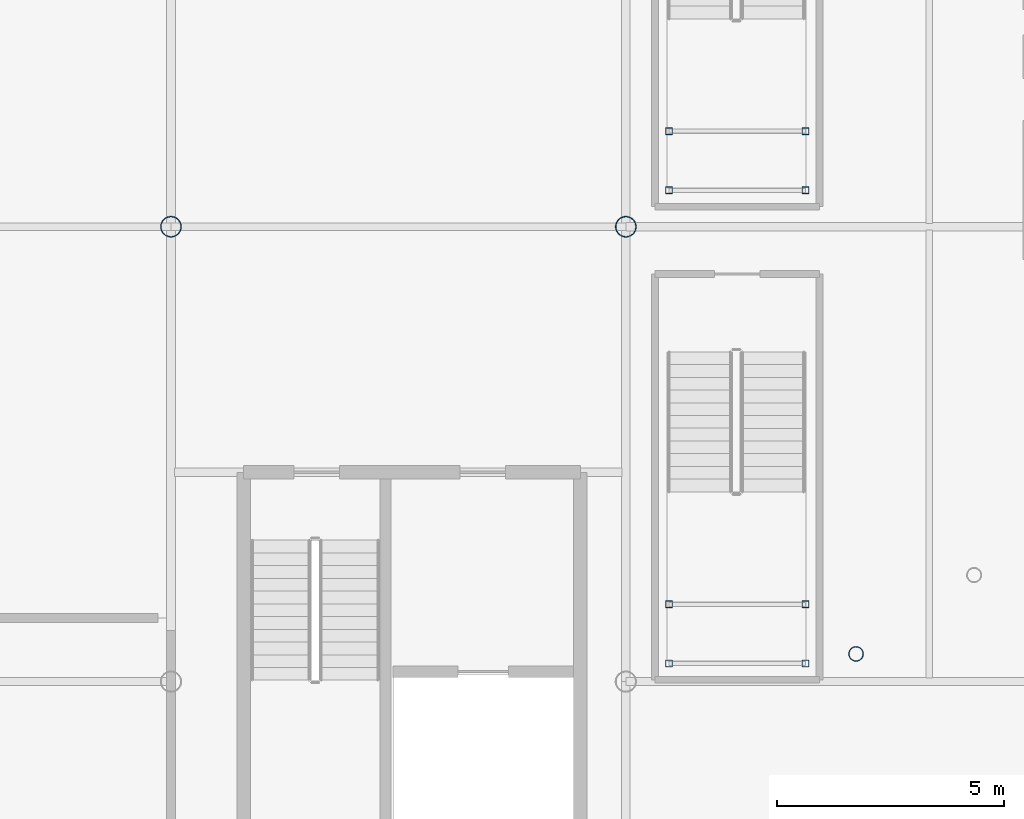
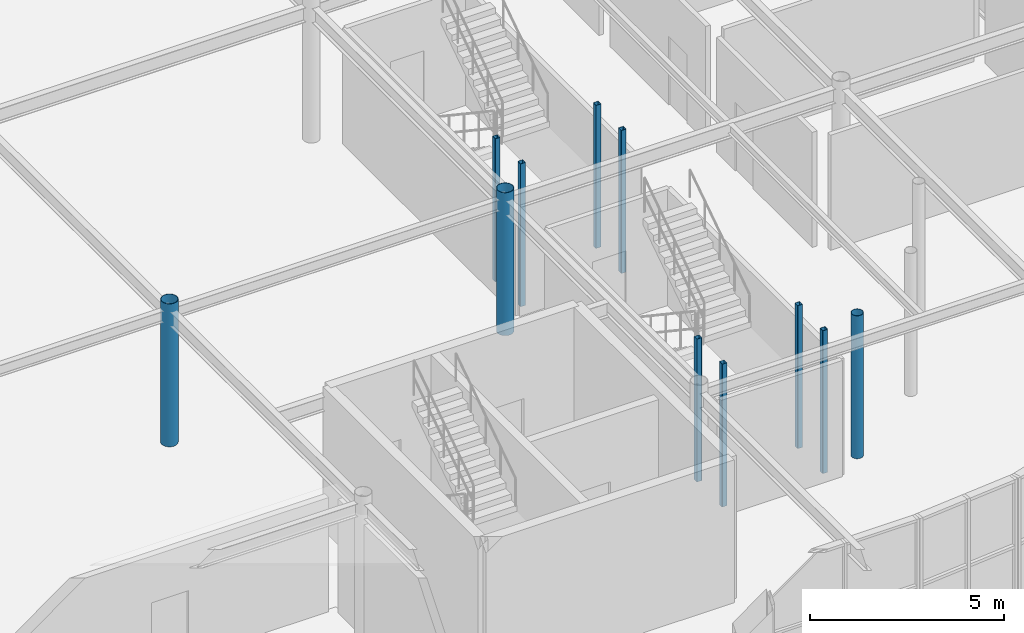
# One storey, part 27 of 119: 11 columns.
"""IFC4 building model written with IfcOpenShell, lengths in metres."""

from ifc_helpers import new_model, si_unit, derived_unit, direction, frame, origin, origin_2d_with_axis, place, context, subcontext, project, spatial, hollow_rectangle, hollow_circle, extrude, material, material_profile, profile_set, type_object, element, save


model = new_model("IFC4")

# Units and contexts
model_context = context("Model", 3, precision=1e-05, world=origin(), true_north=direction((0.0, 1.0)))
body_context = subcontext(model_context, "Body", "Model", "MODEL_VIEW")
ifc_project = project(units=[si_unit("LENGTHUNIT", "METRE"), si_unit("AREAUNIT", "SQUARE_METRE"), si_unit("VOLUMEUNIT", "CUBIC_METRE"), si_unit("PLANEANGLEUNIT", "RADIAN"), si_unit("MASSUNIT", "GRAM", prefix="KILO"), derived_unit("THERMALTRANSMITTANCEUNIT", [(si_unit("POWERUNIT", "WATT"), 1), (si_unit("LENGTHUNIT", "METRE"), -2), (si_unit("THERMODYNAMICTEMPERATUREUNIT", "KELVIN"), -1)])], contexts=[model_context])

# Site, building, storey
site_placement = place(None, origin())
site = spatial("IfcSite", under=ifc_project, at=site_placement, CompositionType="ELEMENT")
building_placement = place(site_placement, origin())
building = spatial("IfcBuilding", under=site, at=building_placement, Name="Cinnabar Yard Market Hall", CompositionType="ELEMENT")
storey_placement = place(building_placement, origin())
storey = spatial("IfcBuildingStorey", under=building, at=storey_placement, Name="L00", CompositionType="ELEMENT", Elevation=0.0)

# Columns
ifc_material_1 = material(Name="Spotted-gum glulam-clad steel Grade 350 (350 MPa)", Category="steel")
ifc_material_profile_1 = material_profile(ifc_material_1, hollow_circle(Radius=0.228515625, WallThickness=0.0126953125, at=origin_2d_with_axis()), Name="457.0x12.7CHS")
ifc_profile_set_1 = profile_set([ifc_material_profile_1], Name="Spotted-gum glulam-clad steel Grade 350 (350 MPa)")
column_type_1 = type_object("IfcColumnType", Name="COL-C01", PredefinedType="COLUMN", material=ifc_profile_set_1)
for number, where, z_axis, x_axis, name in (
    (1, (136.0, 34.0, 0.0), (0.0, 0.0, 1.0), (1.0, 0.0, 0.0), "Tree Column V1I-07-02 L00"),
    (2, (146.0, 34.0, 0.0), (0.0, 0.0, 1.0), (1.0, 0.0, 0.0), "Tree Column V1I-08-02 L00"),
):
    element("IfcColumn", number, at=place(storey_placement, frame(where, z_axis=z_axis, x_axis=x_axis)), inside=storey, type_object=column_type_1, Name=name, PredefinedType="COLUMN", context=body_context, shape_type="SweptSolid", body=[
        extrude(hollow_circle(Radius=0.228515625, WallThickness=0.0126953125, at=origin_2d_with_axis()), origin(), (0.0, 0.0, 1.0), 4.5),
    ])
ifc_material_profile_2 = material_profile(ifc_material_1, hollow_circle(Radius=0.161865234375, WallThickness=0.009521484375, at=origin_2d_with_axis()), Name="323.9x9.5CHS")
ifc_profile_set_2 = profile_set([ifc_material_profile_2], Name="Spotted-gum glulam-clad steel Grade 350 (350 MPa)")
column_type_2 = type_object("IfcColumnType", Name="COL-C03", PredefinedType="COLUMN", material=ifc_profile_set_2)
column_placement = place(storey_placement, frame((151.0615234375, 24.60888671875, 0.0), z_axis=(0.0, 0.0, 1.0), x_axis=(1.0, 0.0, 0.0)))
element("IfcColumn", 3, at=column_placement, inside=storey, type_object=column_type_2, Name="Tree Column V1IC-SE2 L00", PredefinedType="COLUMN", context=body_context, shape_type="SweptSolid", body=[
    extrude(hollow_circle(Radius=0.161865234375, WallThickness=0.009521484375, at=origin_2d_with_axis()), origin(), (0.0, 0.0, 1.0), 4.5),
])
ifc_material_2 = material(Name="Cold-formed steel C350L0", Category="steel")
ifc_material_profile_3 = material_profile(ifc_material_2, hollow_rectangle(XDim=0.14990234375, YDim=0.14990234375, WallThickness=0.006103515625, InnerFilletRadius=0.006103515625, OuterFilletRadius=0.011962890625, at=origin_2d_with_axis()), Name="150x150x6.0SHS")
ifc_profile_set_3 = profile_set([ifc_material_profile_3], Name="Cold-formed steel C350L0")
column_type_3 = type_object("IfcColumnType", Name="COL-C16", PredefinedType="COLUMN", material=ifc_profile_set_3)
for number, where, z_axis, x_axis, name in (
    (4, (146.949951171875, 34.800048828125, 0.0), (0.0, 0.0, 1.0), (1.0, 0.0, 0.0), "Feature Stair Post ST-F2-1 L00"),
    (5, (149.949951171875, 34.800048828125, 0.0), (0.0, 0.0, 1.0), (1.0, 0.0, 0.0), "Feature Stair Post ST-F2-2 L00"),
    (6, (146.949951171875, 36.10009765625, 0.0), (0.0, 0.0, 1.0), (1.0, 0.0, 0.0), "Feature Stair Post ST-F2-3 L00"),
    (7, (149.949951171875, 36.10009765625, 0.0), (0.0, 0.0, 1.0), (1.0, 0.0, 0.0), "Feature Stair Post ST-F2-4 L00"),
    (8, (146.949951171875, 24.39990234375, 0.0), (0.0, 0.0, 1.0), (1.0, 0.0, 0.0), "Feature Stair Post ST-F5-1 L00"),
    (9, (149.949951171875, 24.39990234375, 0.0), (0.0, 0.0, 1.0), (1.0, 0.0, 0.0), "Feature Stair Post ST-F5-2 L00"),
    (10, (146.949951171875, 25.699951171875, 0.0), (0.0, 0.0, 1.0), (1.0, 0.0, 0.0), "Feature Stair Post ST-F5-3 L00"),
    (11, (149.949951171875, 25.699951171875, 0.0), (0.0, 0.0, 1.0), (1.0, 0.0, 0.0), "Feature Stair Post ST-F5-4 L00"),
):
    element("IfcColumn", number, at=place(storey_placement, frame(where, z_axis=z_axis, x_axis=x_axis)), inside=storey, type_object=column_type_3, Name=name, PredefinedType="COLUMN", context=body_context, shape_type="SweptSolid", body=[
        extrude(hollow_rectangle(XDim=0.14990234375, YDim=0.14990234375, WallThickness=0.006103515625, InnerFilletRadius=0.006103515625, OuterFilletRadius=0.011962890625, at=origin_2d_with_axis()), origin(), (0.0, 0.0, 1.0), 4.5),
    ])

save(model, "model.ifc")
